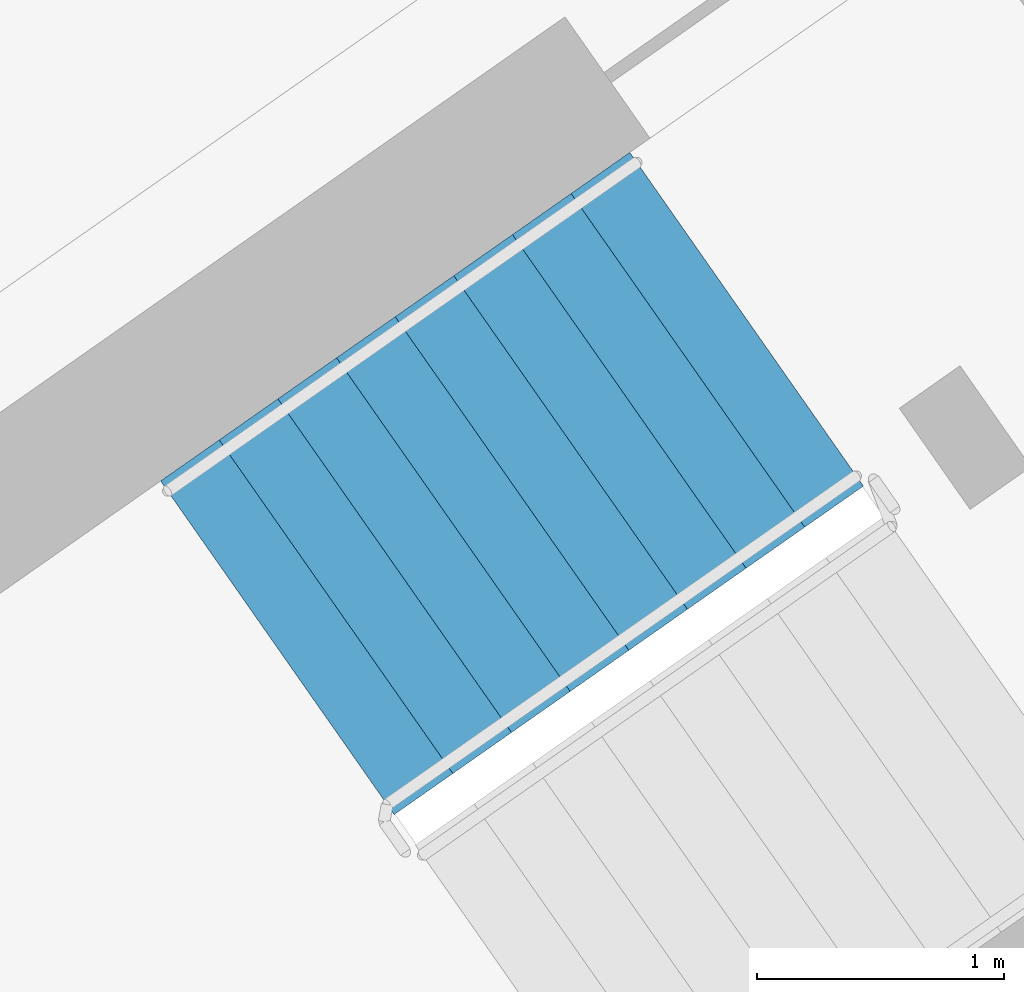
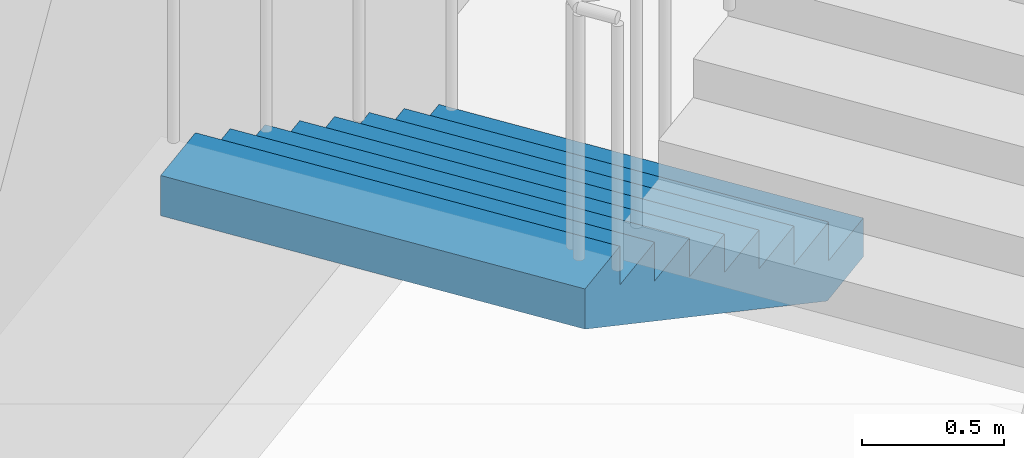
# One storey, part 18 of 41: 1 stair flight, 1 element without a shape of its own.
"""IFC4 building model written with IfcOpenShell, lengths in metres."""

from ifc_helpers import new_model, si_unit, direction, frame, origin, place, context, subcontext, project, spatial, faceted_brep, material, type_object, element, aggregate, save


model = new_model("IFC4")

# Units and contexts
model_context = context("Model", 3, precision=1e-05, world=origin(), true_north=direction((0.0, 1.0)))
body_context = subcontext(model_context, "Body", "Model", "MODEL_VIEW")
ifc_project = project(units=[si_unit("LENGTHUNIT", "METRE"), si_unit("AREAUNIT", "SQUARE_METRE"), si_unit("VOLUMEUNIT", "CUBIC_METRE"), si_unit("PLANEANGLEUNIT", "RADIAN"), si_unit("MASSUNIT", "GRAM", prefix="KILO")], contexts=[model_context])

# Site, building, storey
site_placement = place(None, origin())
site = spatial("IfcSite", under=ifc_project, at=site_placement, CompositionType="ELEMENT")
building_placement = place(site_placement, origin())
building = spatial("IfcBuilding", under=site, at=building_placement, Name="Qamariyya Broadcast Tower", CompositionType="ELEMENT")
storey_placement = place(building_placement, frame((0.0, 0.0, 284.699951171875)))
storey = spatial("IfcBuildingStorey", under=building, at=storey_placement, Name="L69", CompositionType="ELEMENT", Elevation=284.699951171875)

# Stair, stair flight
ifc_material = material(Name="Concrete C50/60", Category="concrete")
stair_type = type_object("IfcStairType", Name="Exit stair 36 risers of 167 mm", PredefinedType="HALF_TURN_STAIR", material=ifc_material)
stair_placement = place(storey_placement, origin())
stair = element("IfcStair", 1, at=stair_placement, inside=storey, type_object=stair_type, Name="L69 Stair E2", PredefinedType="HALF_TURN_STAIR")
stair_flight_type = type_object("IfcStairFlightType", Name="Exit stair flight 9 risers of 167 mm", PredefinedType="STRAIGHT", material=ifc_material)
stair_flight_placement = place(storey_placement, frame((40.558837890625, -47.685302734375, 0.0), z_axis=(0.0, 0.0, 1.0), x_axis=(-0.819152044289, -0.573576436351, 0.0)))
stair_flight = element("IfcStairFlight", 2, at=stair_flight_placement, type_object=stair_flight_type, Name="ST-E2 flight 1", NumberOfRisers=9, NumberOfTreads=8, PredefinedType="STRAIGHT", RiserHeight=0.166666667, TreadLength=0.29, context=body_context, shape_type="Brep", body=[
    faceted_brep([(0.0, 0.824951171875, 0.0), (0.0, 0.824951171875, 0.166748046875), (0.2900390625, 0.824951171875, 0.166748046875), (0.2900390625, 0.824951171875, 0.333251953125), (0.580078125, 0.824951171875, 0.333251953125), (0.580078125, 0.824951171875, 0.5), (0.8701171875, 0.824951171875, 0.5), (0.8701171875, 0.824951171875, 0.666748046875), (1.159912109375, 0.824951171875, 0.666748046875), (1.159912109375, 0.824951171875, 0.833251953125), (1.449951171875, 0.824951171875, 0.833251953125), (1.449951171875, 0.824951171875, 1.0), (1.739990234375, 0.824951171875, 1.0), (1.739990234375, 0.824951171875, 1.166748046875), (2.030029296875, 0.824951171875, 1.166748046875), (2.030029296875, 0.824951171875, 1.333251953125), (2.320068359375, 0.824951171875, 1.333251953125), (2.320068359375, 0.824951171875, 1.160400390625), (0.30078125, 0.824951171875, 0.0), (0.30078125, -0.824951171875, 0.0), (2.320068359375, -0.824951171875, 1.160400390625), (2.320068359375, -0.824951171875, 1.333251953125), (2.030029296875, -0.824951171875, 1.333251953125), (2.030029296875, -0.824951171875, 1.166748046875), (1.739990234375, -0.824951171875, 1.166748046875), (1.739990234375, -0.824951171875, 1.0), (1.449951171875, -0.824951171875, 1.0), (1.449951171875, -0.824951171875, 0.833251953125), (1.159912109375, -0.824951171875, 0.833251953125), (1.159912109375, -0.824951171875, 0.666748046875), (0.8701171875, -0.824951171875, 0.666748046875), (0.8701171875, -0.824951171875, 0.5), (0.580078125, -0.824951171875, 0.5), (0.580078125, -0.824951171875, 0.333251953125), (0.2900390625, -0.824951171875, 0.333251953125), (0.2900390625, -0.824951171875, 0.166748046875), (0.0, -0.824951171875, 0.166748046875), (0.0, -0.824951171875, 0.0), (0.0, 0.10009765625, 0.0), (0.0, 0.086669921875, 0.0), (0.0, 0.0732421875, 0.0), (0.0, 0.06005859375, 0.0), (0.0, 0.046630859375, 0.0), (0.0, 0.033447265625, 0.0), (0.0, 0.02001953125, 0.0), (0.0, 0.006591796875, 0.0), (0.0, -0.006591796875, 0.0), (0.0, -0.02001953125, 0.0), (0.0, -0.033447265625, 0.0), (0.0, -0.046630859375, 0.0), (0.0, -0.06005859375, 0.0), (0.0, -0.0732421875, 0.0), (0.0, -0.086669921875, 0.0), (0.0, -0.10009765625, 0.0), (0.0, -0.10009765625, 0.166748046875), (0.0, -0.086669921875, 0.166748046875), (0.0, -0.0732421875, 0.166748046875), (0.0, -0.06005859375, 0.166748046875), (0.0, -0.046630859375, 0.166748046875), (0.0, -0.033447265625, 0.166748046875), (0.0, -0.02001953125, 0.166748046875), (0.0, -0.006591796875, 0.166748046875), (0.0, 0.006591796875, 0.166748046875), (0.0, 0.02001953125, 0.166748046875), (0.0, 0.033447265625, 0.166748046875), (0.0, 0.046630859375, 0.166748046875), (0.0, 0.06005859375, 0.166748046875), (0.0, 0.0732421875, 0.166748046875), (0.0, 0.086669921875, 0.166748046875), (0.0, 0.10009765625, 0.166748046875), (0.2900390625, -0.10009765625, 0.166748046875), (0.2900390625, -0.086669921875, 0.166748046875), (0.2900390625, -0.0732421875, 0.166748046875), (0.2900390625, -0.06005859375, 0.166748046875), (0.2900390625, -0.046630859375, 0.166748046875), (0.2900390625, -0.033447265625, 0.166748046875), (0.2900390625, -0.02001953125, 0.166748046875), (0.2900390625, -0.006591796875, 0.166748046875), (0.2900390625, 0.006591796875, 0.166748046875), (0.2900390625, 0.02001953125, 0.166748046875), (0.2900390625, 0.033447265625, 0.166748046875), (0.2900390625, 0.046630859375, 0.166748046875), (0.2900390625, 0.06005859375, 0.166748046875), (0.2900390625, 0.0732421875, 0.166748046875), (0.2900390625, 0.086669921875, 0.166748046875), (0.2900390625, 0.10009765625, 0.166748046875), (0.2900390625, -0.10009765625, 0.333251953125), (0.2900390625, -0.086669921875, 0.333251953125), (0.2900390625, -0.0732421875, 0.333251953125), (0.2900390625, -0.06005859375, 0.333251953125), (0.2900390625, -0.046630859375, 0.333251953125), (0.2900390625, -0.033447265625, 0.333251953125), (0.2900390625, -0.02001953125, 0.333251953125), (0.2900390625, -0.006591796875, 0.333251953125), (0.2900390625, 0.006591796875, 0.333251953125), (0.2900390625, 0.02001953125, 0.333251953125), (0.2900390625, 0.033447265625, 0.333251953125), (0.2900390625, 0.046630859375, 0.333251953125), (0.2900390625, 0.06005859375, 0.333251953125), (0.2900390625, 0.0732421875, 0.333251953125), (0.2900390625, 0.086669921875, 0.333251953125), (0.2900390625, 0.10009765625, 0.333251953125), (0.580078125, -0.10009765625, 0.333251953125), (0.580078125, -0.086669921875, 0.333251953125), (0.580078125, -0.0732421875, 0.333251953125), (0.580078125, -0.06005859375, 0.333251953125), (0.580078125, -0.046630859375, 0.333251953125), (0.580078125, -0.033447265625, 0.333251953125), (0.580078125, -0.02001953125, 0.333251953125), (0.580078125, -0.006591796875, 0.333251953125), (0.580078125, 0.006591796875, 0.333251953125), (0.580078125, 0.02001953125, 0.333251953125), (0.580078125, 0.033447265625, 0.333251953125), (0.580078125, 0.046630859375, 0.333251953125), (0.580078125, 0.06005859375, 0.333251953125), (0.580078125, 0.0732421875, 0.333251953125), (0.580078125, 0.086669921875, 0.333251953125), (0.580078125, 0.10009765625, 0.333251953125), (0.580078125, -0.10009765625, 0.5), (0.580078125, -0.086669921875, 0.5), (0.580078125, -0.0732421875, 0.5), (0.580078125, -0.06005859375, 0.5), (0.580078125, -0.046630859375, 0.5), (0.580078125, -0.033447265625, 0.5), (0.580078125, -0.02001953125, 0.5), (0.580078125, -0.006591796875, 0.5), (0.580078125, 0.006591796875, 0.5), (0.580078125, 0.02001953125, 0.5), (0.580078125, 0.033447265625, 0.5), (0.580078125, 0.046630859375, 0.5), (0.580078125, 0.06005859375, 0.5), (0.580078125, 0.0732421875, 0.5), (0.580078125, 0.086669921875, 0.5), (0.580078125, 0.10009765625, 0.5), (0.8701171875, -0.10009765625, 0.5), (0.8701171875, -0.086669921875, 0.5), (0.8701171875, -0.0732421875, 0.5), (0.8701171875, -0.06005859375, 0.5), (0.8701171875, -0.046630859375, 0.5), (0.8701171875, -0.033447265625, 0.5), (0.8701171875, -0.02001953125, 0.5), (0.8701171875, -0.006591796875, 0.5), (0.8701171875, 0.006591796875, 0.5), (0.8701171875, 0.02001953125, 0.5), (0.8701171875, 0.033447265625, 0.5), (0.8701171875, 0.046630859375, 0.5), (0.8701171875, 0.06005859375, 0.5), (0.8701171875, 0.0732421875, 0.5), (0.8701171875, 0.086669921875, 0.5), (0.8701171875, 0.10009765625, 0.5), (0.8701171875, -0.10009765625, 0.666748046875), (0.8701171875, -0.086669921875, 0.666748046875), (0.8701171875, -0.0732421875, 0.666748046875), (0.8701171875, -0.06005859375, 0.666748046875), (0.8701171875, -0.046630859375, 0.666748046875), (0.8701171875, -0.033447265625, 0.666748046875), (0.8701171875, -0.02001953125, 0.666748046875), (0.8701171875, -0.006591796875, 0.666748046875), (0.8701171875, 0.006591796875, 0.666748046875), (0.8701171875, 0.02001953125, 0.666748046875), (0.8701171875, 0.033447265625, 0.666748046875), (0.8701171875, 0.046630859375, 0.666748046875), (0.8701171875, 0.06005859375, 0.666748046875), (0.8701171875, 0.0732421875, 0.666748046875), (0.8701171875, 0.086669921875, 0.666748046875), (0.8701171875, 0.10009765625, 0.666748046875), (1.159912109375, -0.10009765625, 0.666748046875), (1.159912109375, -0.086669921875, 0.666748046875), (1.159912109375, -0.0732421875, 0.666748046875), (1.159912109375, -0.06005859375, 0.666748046875), (1.159912109375, -0.046630859375, 0.666748046875), (1.159912109375, -0.033447265625, 0.666748046875), (1.159912109375, -0.02001953125, 0.666748046875), (1.159912109375, -0.006591796875, 0.666748046875), (1.159912109375, 0.006591796875, 0.666748046875), (1.159912109375, 0.02001953125, 0.666748046875), (1.159912109375, 0.033447265625, 0.666748046875), (1.159912109375, 0.046630859375, 0.666748046875), (1.159912109375, 0.06005859375, 0.666748046875), (1.159912109375, 0.0732421875, 0.666748046875), (1.159912109375, 0.086669921875, 0.666748046875), (1.159912109375, 0.10009765625, 0.666748046875), (1.159912109375, -0.10009765625, 0.833251953125), (1.159912109375, -0.086669921875, 0.833251953125), (1.159912109375, -0.0732421875, 0.833251953125), (1.159912109375, -0.06005859375, 0.833251953125), (1.159912109375, -0.046630859375, 0.833251953125), (1.159912109375, -0.033447265625, 0.833251953125), (1.159912109375, -0.02001953125, 0.833251953125), (1.159912109375, -0.006591796875, 0.833251953125), (1.159912109375, 0.006591796875, 0.833251953125), (1.159912109375, 0.02001953125, 0.833251953125), (1.159912109375, 0.033447265625, 0.833251953125), (1.159912109375, 0.046630859375, 0.833251953125), (1.159912109375, 0.06005859375, 0.833251953125), (1.159912109375, 0.0732421875, 0.833251953125), (1.159912109375, 0.086669921875, 0.833251953125), (1.159912109375, 0.10009765625, 0.833251953125), (1.449951171875, -0.10009765625, 0.833251953125), (1.449951171875, -0.086669921875, 0.833251953125), (1.449951171875, -0.0732421875, 0.833251953125), (1.449951171875, -0.06005859375, 0.833251953125), (1.449951171875, -0.046630859375, 0.833251953125), (1.449951171875, -0.033447265625, 0.833251953125), (1.449951171875, -0.02001953125, 0.833251953125), (1.449951171875, -0.006591796875, 0.833251953125), (1.449951171875, 0.006591796875, 0.833251953125), (1.449951171875, 0.02001953125, 0.833251953125), (1.449951171875, 0.033447265625, 0.833251953125), (1.449951171875, 0.046630859375, 0.833251953125), (1.449951171875, 0.06005859375, 0.833251953125), (1.449951171875, 0.0732421875, 0.833251953125), (1.449951171875, 0.086669921875, 0.833251953125), (1.449951171875, 0.10009765625, 0.833251953125), (1.449951171875, -0.10009765625, 1.0), (1.449951171875, -0.086669921875, 1.0), (1.449951171875, -0.0732421875, 1.0), (1.449951171875, -0.06005859375, 1.0), (1.449951171875, -0.046630859375, 1.0), (1.449951171875, -0.033447265625, 1.0), (1.449951171875, -0.02001953125, 1.0), (1.449951171875, -0.006591796875, 1.0), (1.449951171875, 0.006591796875, 1.0), (1.449951171875, 0.02001953125, 1.0), (1.449951171875, 0.033447265625, 1.0), (1.449951171875, 0.046630859375, 1.0), (1.449951171875, 0.06005859375, 1.0), (1.449951171875, 0.0732421875, 1.0), (1.449951171875, 0.086669921875, 1.0), (1.449951171875, 0.10009765625, 1.0), (1.739990234375, -0.10009765625, 1.0), (1.739990234375, -0.086669921875, 1.0), (1.739990234375, -0.0732421875, 1.0), (1.739990234375, -0.06005859375, 1.0), (1.739990234375, -0.046630859375, 1.0), (1.739990234375, -0.033447265625, 1.0), (1.739990234375, -0.02001953125, 1.0), (1.739990234375, -0.006591796875, 1.0), (1.739990234375, 0.006591796875, 1.0), (1.739990234375, 0.02001953125, 1.0), (1.739990234375, 0.033447265625, 1.0), (1.739990234375, 0.046630859375, 1.0), (1.739990234375, 0.06005859375, 1.0), (1.739990234375, 0.0732421875, 1.0), (1.739990234375, 0.086669921875, 1.0), (1.739990234375, 0.10009765625, 1.0), (1.739990234375, -0.10009765625, 1.166748046875), (1.739990234375, -0.086669921875, 1.166748046875), (1.739990234375, -0.0732421875, 1.166748046875), (1.739990234375, -0.06005859375, 1.166748046875), (1.739990234375, -0.046630859375, 1.166748046875), (1.739990234375, -0.033447265625, 1.166748046875), (1.739990234375, -0.02001953125, 1.166748046875), (1.739990234375, -0.006591796875, 1.166748046875), (1.739990234375, 0.006591796875, 1.166748046875), (1.739990234375, 0.02001953125, 1.166748046875), (1.739990234375, 0.033447265625, 1.166748046875), (1.739990234375, 0.046630859375, 1.166748046875), (1.739990234375, 0.06005859375, 1.166748046875), (1.739990234375, 0.0732421875, 1.166748046875), (1.739990234375, 0.086669921875, 1.166748046875), (1.739990234375, 0.10009765625, 1.166748046875), (2.030029296875, -0.10009765625, 1.166748046875), (2.030029296875, -0.086669921875, 1.166748046875), (2.030029296875, -0.0732421875, 1.166748046875), (2.030029296875, -0.06005859375, 1.166748046875), (2.030029296875, -0.046630859375, 1.166748046875), (2.030029296875, -0.033447265625, 1.166748046875), (2.030029296875, -0.02001953125, 1.166748046875), (2.030029296875, -0.006591796875, 1.166748046875), (2.030029296875, 0.006591796875, 1.166748046875), (2.030029296875, 0.02001953125, 1.166748046875), (2.030029296875, 0.033447265625, 1.166748046875), (2.030029296875, 0.046630859375, 1.166748046875), (2.030029296875, 0.06005859375, 1.166748046875), (2.030029296875, 0.0732421875, 1.166748046875), (2.030029296875, 0.086669921875, 1.166748046875), (2.030029296875, 0.10009765625, 1.166748046875), (2.030029296875, -0.10009765625, 1.333251953125), (2.030029296875, -0.086669921875, 1.333251953125), (2.030029296875, -0.0732421875, 1.333251953125), (2.030029296875, -0.06005859375, 1.333251953125), (2.030029296875, -0.046630859375, 1.333251953125), (2.030029296875, -0.033447265625, 1.333251953125), (2.030029296875, -0.02001953125, 1.333251953125), (2.030029296875, -0.006591796875, 1.333251953125), (2.030029296875, 0.006591796875, 1.333251953125), (2.030029296875, 0.02001953125, 1.333251953125), (2.030029296875, 0.033447265625, 1.333251953125), (2.030029296875, 0.046630859375, 1.333251953125), (2.030029296875, 0.06005859375, 1.333251953125), (2.030029296875, 0.0732421875, 1.333251953125), (2.030029296875, 0.086669921875, 1.333251953125), (2.030029296875, 0.10009765625, 1.333251953125), (2.320068359375, -0.10009765625, 1.333251953125), (2.320068359375, -0.086669921875, 1.333251953125), (2.320068359375, -0.0732421875, 1.333251953125), (2.320068359375, -0.06005859375, 1.333251953125), (2.320068359375, -0.046630859375, 1.333251953125), (2.320068359375, -0.033447265625, 1.333251953125), (2.320068359375, -0.02001953125, 1.333251953125), (2.320068359375, -0.006591796875, 1.333251953125), (2.320068359375, 0.006591796875, 1.333251953125), (2.320068359375, 0.02001953125, 1.333251953125), (2.320068359375, 0.033447265625, 1.333251953125), (2.320068359375, 0.046630859375, 1.333251953125), (2.320068359375, 0.06005859375, 1.333251953125), (2.320068359375, 0.0732421875, 1.333251953125), (2.320068359375, 0.086669921875, 1.333251953125), (2.320068359375, 0.10009765625, 1.333251953125), (2.320068359375, -0.10009765625, 1.160400390625), (2.320068359375, -0.086669921875, 1.160400390625), (2.320068359375, -0.0732421875, 1.160400390625), (2.320068359375, -0.06005859375, 1.160400390625), (2.320068359375, -0.046630859375, 1.160400390625), (2.320068359375, -0.033447265625, 1.160400390625), (2.320068359375, -0.02001953125, 1.160400390625), (2.320068359375, -0.006591796875, 1.160400390625), (2.320068359375, 0.006591796875, 1.160400390625), (2.320068359375, 0.02001953125, 1.160400390625), (2.320068359375, 0.033447265625, 1.160400390625), (2.320068359375, 0.046630859375, 1.160400390625), (2.320068359375, 0.06005859375, 1.160400390625), (2.320068359375, 0.0732421875, 1.160400390625), (2.320068359375, 0.086669921875, 1.160400390625), (2.320068359375, 0.10009765625, 1.160400390625), (0.30078125, -0.10009765625, 0.0), (0.30078125, -0.086669921875, 0.0), (0.30078125, -0.0732421875, 0.0), (0.30078125, -0.06005859375, 0.0), (0.30078125, -0.046630859375, 0.0), (0.30078125, -0.033447265625, 0.0), (0.30078125, -0.02001953125, 0.0), (0.30078125, -0.006591796875, 0.0), (0.30078125, 0.006591796875, 0.0), (0.30078125, 0.02001953125, 0.0), (0.30078125, 0.033447265625, 0.0), (0.30078125, 0.046630859375, 0.0), (0.30078125, 0.06005859375, 0.0), (0.30078125, 0.0732421875, 0.0), (0.30078125, 0.086669921875, 0.0), (0.30078125, 0.10009765625, 0.0)], [[[0, 1, 2, 3, 4, 5, 6, 7, 8, 9, 10, 11, 12, 13, 14, 15, 16, 17, 18]], [[19, 20, 21, 22, 23, 24, 25, 26, 27, 28, 29, 30, 31, 32, 33, 34, 35, 36, 37]], [[0, 38, 39, 40, 41, 42, 43, 44, 45, 46, 47, 48, 49, 50, 51, 52, 53, 37, 36, 54, 55, 56, 57, 58, 59, 60, 61, 62, 63, 64, 65, 66, 67, 68, 69, 1]], [[1, 69, 68, 67, 66, 65, 64, 63, 62, 61, 60, 59, 58, 57, 56, 55, 54, 36, 35, 70, 71, 72, 73, 74, 75, 76, 77, 78, 79, 80, 81, 82, 83, 84, 85, 2]], [[2, 85, 84, 83, 82, 81, 80, 79, 78, 77, 76, 75, 74, 73, 72, 71, 70, 35, 34, 86, 87, 88, 89, 90, 91, 92, 93, 94, 95, 96, 97, 98, 99, 100, 101, 3]], [[3, 101, 100, 99, 98, 97, 96, 95, 94, 93, 92, 91, 90, 89, 88, 87, 86, 34, 33, 102, 103, 104, 105, 106, 107, 108, 109, 110, 111, 112, 113, 114, 115, 116, 117, 4]], [[4, 117, 116, 115, 114, 113, 112, 111, 110, 109, 108, 107, 106, 105, 104, 103, 102, 33, 32, 118, 119, 120, 121, 122, 123, 124, 125, 126, 127, 128, 129, 130, 131, 132, 133, 5]], [[5, 133, 132, 131, 130, 129, 128, 127, 126, 125, 124, 123, 122, 121, 120, 119, 118, 32, 31, 134, 135, 136, 137, 138, 139, 140, 141, 142, 143, 144, 145, 146, 147, 148, 149, 6]], [[6, 149, 148, 147, 146, 145, 144, 143, 142, 141, 140, 139, 138, 137, 136, 135, 134, 31, 30, 150, 151, 152, 153, 154, 155, 156, 157, 158, 159, 160, 161, 162, 163, 164, 165, 7]], [[7, 165, 164, 163, 162, 161, 160, 159, 158, 157, 156, 155, 154, 153, 152, 151, 150, 30, 29, 166, 167, 168, 169, 170, 171, 172, 173, 174, 175, 176, 177, 178, 179, 180, 181, 8]], [[8, 181, 180, 179, 178, 177, 176, 175, 174, 173, 172, 171, 170, 169, 168, 167, 166, 29, 28, 182, 183, 184, 185, 186, 187, 188, 189, 190, 191, 192, 193, 194, 195, 196, 197, 9]], [[9, 197, 196, 195, 194, 193, 192, 191, 190, 189, 188, 187, 186, 185, 184, 183, 182, 28, 27, 198, 199, 200, 201, 202, 203, 204, 205, 206, 207, 208, 209, 210, 211, 212, 213, 10]], [[10, 213, 212, 211, 210, 209, 208, 207, 206, 205, 204, 203, 202, 201, 200, 199, 198, 27, 26, 214, 215, 216, 217, 218, 219, 220, 221, 222, 223, 224, 225, 226, 227, 228, 229, 11]], [[11, 229, 228, 227, 226, 225, 224, 223, 222, 221, 220, 219, 218, 217, 216, 215, 214, 26, 25, 230, 231, 232, 233, 234, 235, 236, 237, 238, 239, 240, 241, 242, 243, 244, 245, 12]], [[12, 245, 244, 243, 242, 241, 240, 239, 238, 237, 236, 235, 234, 233, 232, 231, 230, 25, 24, 246, 247, 248, 249, 250, 251, 252, 253, 254, 255, 256, 257, 258, 259, 260, 261, 13]], [[13, 261, 260, 259, 258, 257, 256, 255, 254, 253, 252, 251, 250, 249, 248, 247, 246, 24, 23, 262, 263, 264, 265, 266, 267, 268, 269, 270, 271, 272, 273, 274, 275, 276, 277, 14]], [[14, 277, 276, 275, 274, 273, 272, 271, 270, 269, 268, 267, 266, 265, 264, 263, 262, 23, 22, 278, 279, 280, 281, 282, 283, 284, 285, 286, 287, 288, 289, 290, 291, 292, 293, 15]], [[15, 293, 292, 291, 290, 289, 288, 287, 286, 285, 284, 283, 282, 281, 280, 279, 278, 22, 21, 294, 295, 296, 297, 298, 299, 300, 301, 302, 303, 304, 305, 306, 307, 308, 309, 16]], [[16, 309, 308, 307, 306, 305, 304, 303, 302, 301, 300, 299, 298, 297, 296, 295, 294, 21, 20, 310, 311, 312, 313, 314, 315, 316, 317, 318, 319, 320, 321, 322, 323, 324, 325, 17]], [[17, 325, 324, 323, 322, 321, 320, 319, 318, 317, 316, 315, 314, 313, 312, 311, 310, 20, 19, 326, 327, 328, 329, 330, 331, 332, 333, 334, 335, 336, 337, 338, 339, 340, 341, 18]], [[18, 341, 340, 339, 338, 337, 336, 335, 334, 333, 332, 331, 330, 329, 328, 327, 326, 19, 37, 53, 52, 51, 50, 49, 48, 47, 46, 45, 44, 43, 42, 41, 40, 39, 38, 0]]]),
])
aggregate(stair, [stair_flight])

save(model, "model.ifc")
